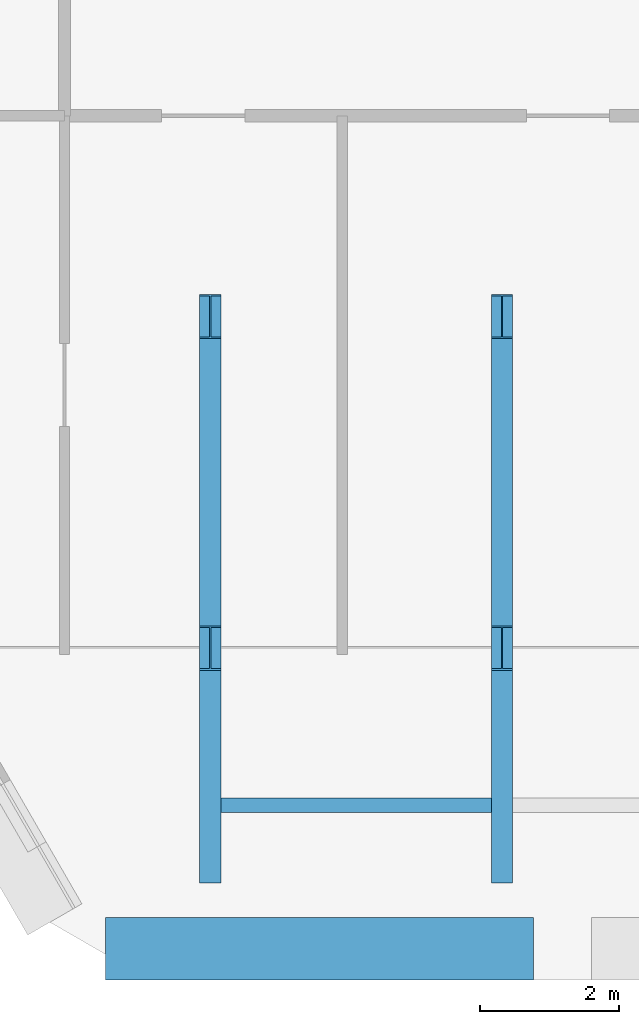
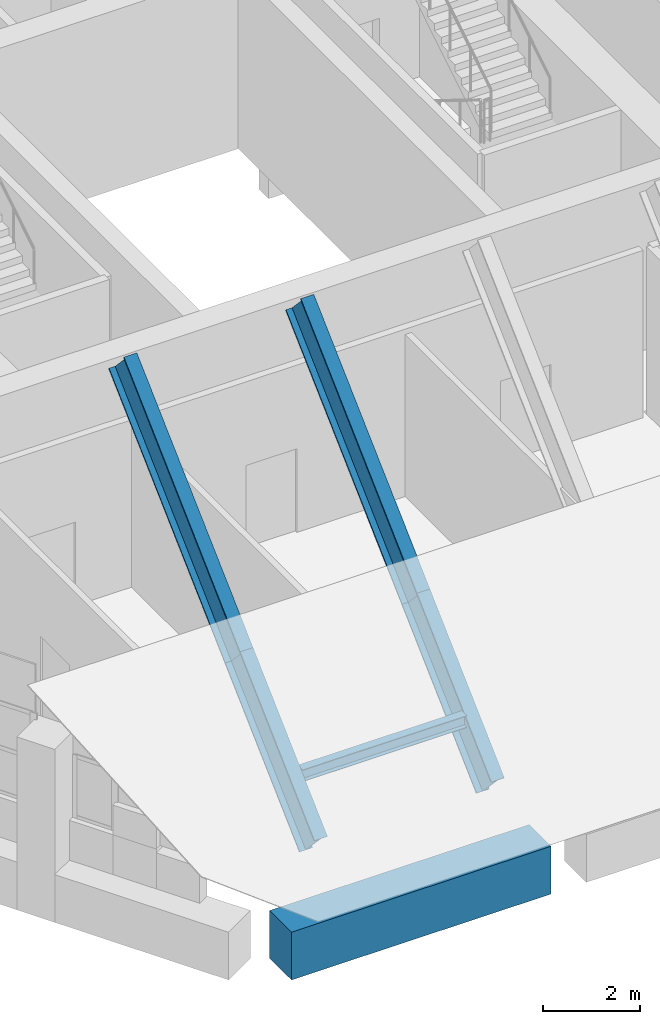
# One storey, part 3 of 25: 5 members, 1 beam.
"""IFC4 building model written with IfcOpenShell, lengths in metres."""

from ifc_helpers import new_model, si_unit, direction, frame, origin, origin_2d, place, context, subcontext, project, spatial, rectangle, i_section, extrude, material, material_profile, profile_set, type_object, element, save


model = new_model("IFC4")

# Units and contexts
model_context = context("Model", 3, precision=1e-05, world=origin(), true_north=direction((0.0, 1.0)))
body_context = subcontext(model_context, "Body", "Model", "MODEL_VIEW")
ifc_project = project(units=[si_unit("LENGTHUNIT", "METRE"), si_unit("AREAUNIT", "SQUARE_METRE"), si_unit("VOLUMEUNIT", "CUBIC_METRE"), si_unit("PLANEANGLEUNIT", "RADIAN"), si_unit("MASSUNIT", "GRAM", prefix="KILO")], contexts=[model_context])

# Site, building, storey
site_placement = place(None, origin())
site = spatial("IfcSite", under=ifc_project, at=site_placement, CompositionType="ELEMENT")
building_placement = place(site_placement, origin())
building = spatial("IfcBuilding", under=site, at=building_placement, Name="Ostrander Bayou Hotel Tower", CompositionType="ELEMENT")
storey_placement = place(building_placement, frame((0.0, 0.0, 275.0)))
storey = spatial("IfcBuildingStorey", under=building, at=storey_placement, Name="L68", CompositionType="ELEMENT", Elevation=275.0)

# Members
ifc_material_1 = material(Name="Steel ASTM A992", Category="steel")
ifc_material_profile_1 = material_profile(ifc_material_1, i_section(OverallWidth=0.203369140625, OverallDepth=0.30322265625, WebThickness=0.007568359375, FlangeThickness=0.01318359375, at=origin_2d()))
ifc_profile_set_1 = profile_set([ifc_material_profile_1], Name="Steel ASTM A992")
member_type_1 = type_object("IfcMemberType", Name="CP3 crown purlin W12x40", PredefinedType="PURLIN", material=ifc_profile_set_1)
member_1_placement = place(storey_placement, frame((-8.24609375, -13.626953125, 1.875244140625), z_axis=(1.0, 0.0, 0.0), x_axis=(0.0, 1.0, 0.0)))
element("IfcMember", 1, at=member_1_placement, inside=storey, type_object=member_type_1, Name="CP3 P1-1", PredefinedType="PURLIN", context=body_context, shape_type="SweptSolid", body=[
    extrude(i_section(OverallWidth=0.203369140625, OverallDepth=0.30322265625, WebThickness=0.007568359375, FlangeThickness=0.01318359375, at=origin_2d()), origin(), (0.0, 0.0, 1.0), 3.89208984375),
])
ifc_material_2 = material(Name="Steel ASTM A992", Category="steel")
ifc_material_profile_2 = material_profile(ifc_material_2, i_section(OverallWidth=0.307861328125, OverallDepth=0.9267578125, WebThickness=0.01953125, FlangeThickness=0.031982421875, at=origin_2d()))
ifc_profile_set_2 = profile_set([ifc_material_profile_2], Name="Steel ASTM A992")
member_type_2 = type_object("IfcMemberType", Name="CR1 crown rafter W36x194", PredefinedType="RAFTER", material=ifc_profile_set_2)
member_2_placement = place(storey_placement, frame((-8.39990234375, -14.427001953125, 0.63671875), z_axis=(0.0, 0.727952792033, 0.685627254834), x_axis=(-1.0, 0.0, 0.0)))
element("IfcMember", 2, at=member_2_placement, inside=storey, type_object=member_type_2, Name="CR1 R1-1", PredefinedType="RAFTER", context=body_context, shape_type="SweptSolid", body=[
    extrude(i_section(OverallWidth=0.307861328125, OverallDepth=0.9267578125, WebThickness=0.01953125, FlangeThickness=0.031982421875, at=origin_2d()), origin(), (0.0, 0.0, 1.0), 4.205078125),
])
member_3_placement = place(storey_placement, frame((-8.39990234375, -11.365966796875, 3.519775390625), z_axis=(0.0, 0.727935686227, 0.685645416172), x_axis=(-1.0, 0.0, 0.0)))
element("IfcMember", 3, at=member_3_placement, inside=storey, type_object=member_type_2, Name="CR1 R1-2", PredefinedType="RAFTER", context=body_context, shape_type="SweptSolid", body=[
    extrude(i_section(OverallWidth=0.307861328125, OverallDepth=0.9267578125, WebThickness=0.01953125, FlangeThickness=0.031982421875, at=origin_2d()), origin(), (0.0, 0.0, 1.0), 6.56396484375),
])
member_4_placement = place(storey_placement, frame((-4.199951171875, -14.427001953125, 0.63671875), z_axis=(0.0, 0.727952792033, 0.685627254834), x_axis=(-1.0, 0.0, 0.0)))
element("IfcMember", 4, at=member_4_placement, inside=storey, type_object=member_type_2, Name="CR1 R2-1", PredefinedType="RAFTER", context=body_context, shape_type="SweptSolid", body=[
    extrude(i_section(OverallWidth=0.307861328125, OverallDepth=0.9267578125, WebThickness=0.01953125, FlangeThickness=0.031982421875, at=origin_2d()), origin(), (0.0, 0.0, 1.0), 4.205078125),
])
member_5_placement = place(storey_placement, frame((-4.199951171875, -11.365966796875, 3.519775390625), z_axis=(0.0, 0.727935686227, 0.685645416172), x_axis=(-1.0, 0.0, 0.0)))
element("IfcMember", 5, at=member_5_placement, inside=storey, type_object=member_type_2, Name="CR1 R2-2", PredefinedType="RAFTER", context=body_context, shape_type="SweptSolid", body=[
    extrude(i_section(OverallWidth=0.307861328125, OverallDepth=0.9267578125, WebThickness=0.01953125, FlangeThickness=0.031982421875, at=origin_2d()), origin(), (0.0, 0.0, 1.0), 6.56396484375),
])

# Beam
ifc_material_3 = material(Name="Concrete f'c 60 MPa", Category="concrete")
ifc_material_profile_3 = material_profile(ifc_material_3, rectangle(XDim=0.89990234375, YDim=1.199951171875, at=origin_2d()))
ifc_profile_set_3 = profile_set([ifc_material_profile_3], Name="Concrete f'c 60 MPa")
beam_type = type_object("IfcBeamType", Name="SP4 spandrel beam 900 x 1200 mm f'c 60 MPa", PredefinedType="SPANDREL", material=ifc_profile_set_3)
beam_placement = place(storey_placement, frame((-9.90869140625, -15.693603515625, -0.60009765625), z_axis=(1.0, 0.0, 0.0), x_axis=(0.0, 1.0, 0.0)))
element("IfcBeam", 6, at=beam_placement, inside=storey, type_object=beam_type, Name="SP4 L68 S-1", PredefinedType="SPANDREL", context=body_context, shape_type="SweptSolid", body=[
    extrude(rectangle(XDim=0.89990234375, YDim=1.199951171875, at=origin_2d()), origin(), (0.0, 0.0, 1.0), 6.1591796875),
])

save(model, "model.ifc")
